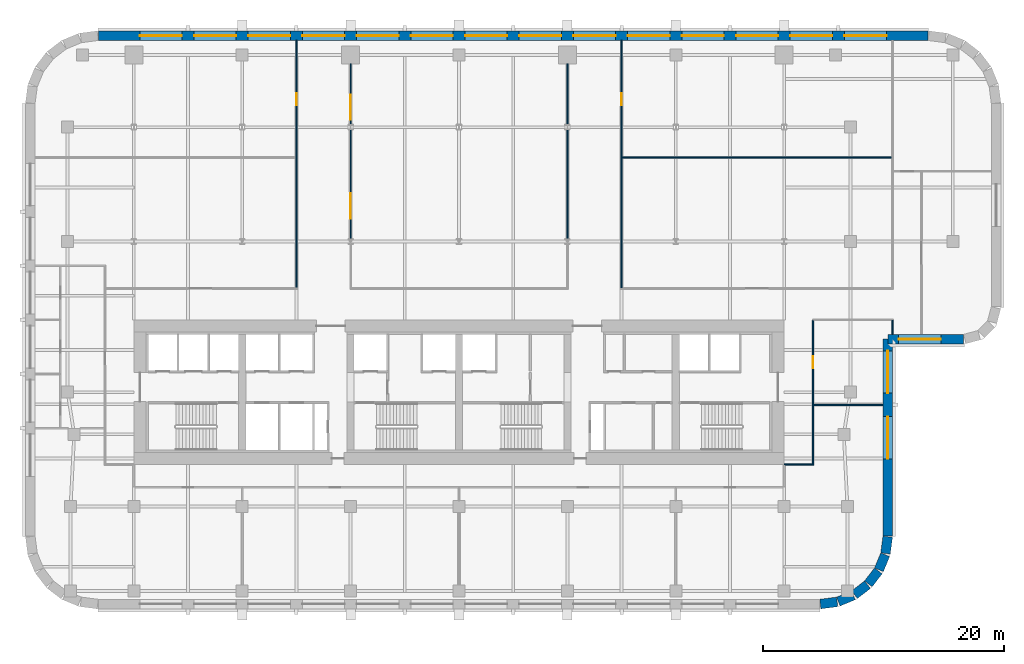
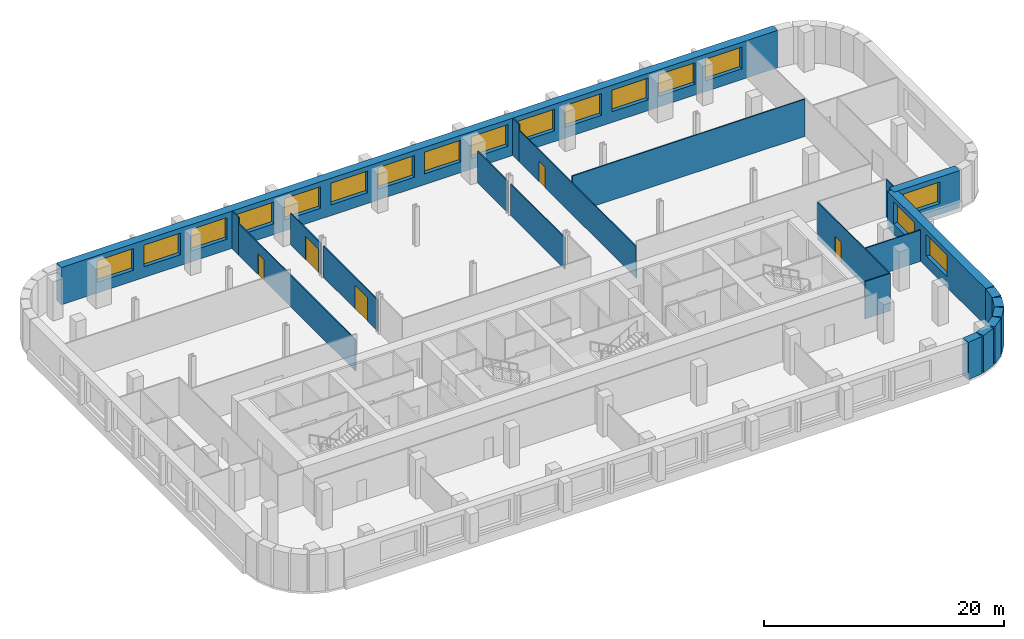
# One storey, part 6 of 9: 22 walls, 17 windows, 5 doors, 22 openings.
"""IFC4 building model written with IfcOpenShell, lengths in metres."""

from ifc_helpers import new_model, si_unit, direction, frame, frame_2d, origin, place, context, subcontext, project, spatial, rectangle, extrude, material, layer, layer_set, type_object, element, fill, save


model = new_model("IFC4")

# Units and contexts
model_context = context("Model", 3, precision=1e-05, world=origin(), true_north=direction((0.0, 1.0)))
body_context = subcontext(model_context, "Body", "Model", "MODEL_VIEW")
ifc_project = project(units=[si_unit("LENGTHUNIT", "METRE"), si_unit("AREAUNIT", "SQUARE_METRE"), si_unit("VOLUMEUNIT", "CUBIC_METRE"), si_unit("PLANEANGLEUNIT", "RADIAN"), si_unit("MASSUNIT", "GRAM", prefix="KILO")], contexts=[model_context])

# Site, building, storey
site_placement = place(None, origin())
site = spatial("IfcSite", under=ifc_project, at=site_placement, CompositionType="ELEMENT")
building_placement = place(site_placement, origin())
building = spatial("IfcBuilding", under=site, at=building_placement, Name="Zellij Exchange Tower", CompositionType="ELEMENT")
storey_placement = place(building_placement, frame((0.0, 0.0, 116.5)))
storey = spatial("IfcBuildingStorey", under=building, at=storey_placement, Name="L25", CompositionType="ELEMENT", Elevation=116.5)

# Walls
ifc_material_1 = material(Name="Precast concrete C40/50", Category="concrete")
ifc_layer_1 = layer(ifc_material_1, 0.800048828125)
ifc_layer_set_1 = layer_set([ifc_layer_1], Name="Precast concrete C40/50")
wall_type_1 = type_object("IfcWallType", Name="ENV-EW1 Precast stone-piered wall 800", PredefinedType="SOLIDWALL", material=ifc_layer_set_1)
wall_1_placement = place(storey_placement, frame((29.999755859375, -25.5966796875, 0.0), z_axis=(0.0, 0.0, 1.0), x_axis=(0.99144603414, 0.130517283865, 0.0)))
element("IfcWall", 1, at=wall_1_placement, inside=storey, type_object=wall_type_1, Name="fac.L25.01", PredefinedType="SOLIDWALL", context=body_context, shape_type="SweptSolid", body=[
    extrude(rectangle(XDim=1.408447265625, YDim=0.800048828125, at=frame_2d((0.7041015625, 0.0))), origin(), (0.0, 0.0, 1.0), 3.800048828125),
])
wall_2_placement = place(storey_placement, frame((31.497314453125, -25.3857421875, 0.0), z_axis=(0.0, 0.0, 1.0), x_axis=(0.923847774587, 0.38276009378, 0.0)))
element("IfcWall", 2, at=wall_2_placement, inside=storey, type_object=wall_type_1, Name="fac.L25.02", PredefinedType="SOLIDWALL", context=body_context, shape_type="SweptSolid", body=[
    extrude(rectangle(XDim=1.35546875, YDim=0.800048828125, at=frame_2d((0.677734375, 0.0))), origin(), (0.0, 0.0, 1.0), 3.800048828125),
])
for number, where, z_axis, x_axis, name in (
    (3, (32.840087890625, -24.814697265625, 0.0), (0.0, 0.0, 1.0), (0.793272915452, 0.608866226366, 0.0), "fac.L25.03"),
    (4, (33.9892578125, -23.91552734375, 0.0), (0.0, 0.0, 1.0), (0.608866226366, 0.793272915452, 0.0), "fac.L25.04"),
):
    element("IfcWall", number, at=place(storey_placement, frame(where, z_axis=z_axis, x_axis=x_axis)), inside=storey, type_object=wall_type_1, Name=name, PredefinedType="SOLIDWALL", context=body_context, shape_type="SweptSolid", body=[
        extrude(rectangle(XDim=1.355712890625, YDim=0.800048828125, at=frame_2d((0.677734375, 0.0))), origin(), (0.0, 0.0, 1.0), 3.800048828125),
    ])
wall_3_placement = place(storey_placement, frame((34.866943359375, -22.74951171875, 0.0), z_axis=(0.0, 0.0, 1.0), x_axis=(0.38276009378, 0.923847774587, 0.0)))
element("IfcWall", 5, at=wall_3_placement, inside=storey, type_object=wall_type_1, Name="fac.L25.05", PredefinedType="SOLIDWALL", context=body_context, shape_type="SweptSolid", body=[
    extrude(rectangle(XDim=1.35546875, YDim=0.800048828125, at=frame_2d((0.677734375, 0.0))), origin(), (0.0, 0.0, 1.0), 3.800048828125),
])
wall_4_placement = place(storey_placement, frame((35.412841796875, -21.396240234375, 0.0), z_axis=(0.0, 0.0, 1.0), x_axis=(0.130517283865, 0.99144603414, 0.0)))
element("IfcWall", 6, at=wall_4_placement, inside=storey, type_object=wall_type_1, Name="fac.L25.06", PredefinedType="SOLIDWALL", context=body_context, shape_type="SweptSolid", body=[
    extrude(rectangle(XDim=1.408447265625, YDim=0.800048828125, at=frame_2d((0.7041015625, 0.0))), origin(), (0.0, 0.0, 1.0), 3.800048828125),
])

# Wall, openings, windows
wall_5_placement = place(storey_placement, frame((35.60009765625, -19.947509765625, 0.0), z_axis=(0.0, 0.0, 1.0), x_axis=(0.0, 1.0, 0.0)))
wall_5 = element("IfcWall", 7, at=wall_5_placement, inside=storey, type_object=wall_type_1, Name="fac.L25.07", PredefinedType="SOLIDWALL", context=body_context, shape_type="SweptSolid", body=[
    extrude(rectangle(XDim=16.347412109375, YDim=0.800048828125, at=frame_2d((8.173828125, 0.0))), origin(), (0.0, 0.0, 1.0), 3.800048828125),
])
opening_1_placement = place(wall_5_placement, frame((6.41064453125, 0.0, 1.10009765625)))
opening_1 = element("IfcOpeningElement", 8, at=opening_1_placement, cuts=wall_5, Name="Opening FZ2.13", PredefinedType="OPENING", context=body_context, shape_type="SweptSolid", body=[
    extrude(rectangle(XDim=3.5, YDim=2.199951171875, at=frame_2d((1.75, 1.10009765625))), frame((0.0, 0.412109375, 0.0), z_axis=(0.0, -1.0, 0.0), x_axis=(1.0, 0.0, 0.0)), (0.0, 0.0, 1.0), 0.823974609375),
])
opening_2_placement = place(wall_5_placement, frame((11.86865234375, 0.0, 1.10009765625)))
opening_2 = element("IfcOpeningElement", 9, at=opening_2_placement, cuts=wall_5, Name="Opening FZ2.14", PredefinedType="OPENING", context=body_context, shape_type="SweptSolid", body=[
    extrude(rectangle(XDim=3.5, YDim=2.199951171875, at=frame_2d((1.75, 1.10009765625))), frame((0.0, 0.412109375, 0.0), z_axis=(0.0, -1.0, 0.0), x_axis=(1.0, 0.0, 0.0)), (0.0, 0.0, 1.0), 0.823974609375),
])
ifc_material_2 = material(Name="Aluminium frame with insulating glass", Category="aluminium")
window_type = type_object("IfcWindowType", Name="ENV-W7 Window 3500x2200", PartitioningType="SINGLE_PANEL", PredefinedType="WINDOW", material=ifc_material_2)
window_1_placement = place(opening_1_placement, origin())
window_1 = element("IfcWindow", 10, at=window_1_placement, inside=storey, type_object=window_type, Name="Window FZ2.13", OverallHeight=2.199951171875, OverallWidth=3.5, PartitioningType="SINGLE_PANEL", PredefinedType="WINDOW", context=body_context, shape_type="SweptSolid", body=[
    extrude(rectangle(XDim=3.5, YDim=2.199951171875, at=frame_2d((1.75, 1.10009765625))), frame((0.0, 0.030029296875, 0.0), z_axis=(0.0, -1.0, 0.0), x_axis=(1.0, 0.0, 0.0)), (0.0, 0.0, 1.0), 0.06005859375),
])
fill(opening_1, window_1)
window_2_placement = place(opening_2_placement, origin())
window_2 = element("IfcWindow", 11, at=window_2_placement, inside=storey, type_object=window_type, Name="Window FZ2.14", OverallHeight=2.199951171875, OverallWidth=3.5, PartitioningType="SINGLE_PANEL", PredefinedType="WINDOW", context=body_context, shape_type="SweptSolid", body=[
    extrude(rectangle(XDim=3.5, YDim=2.199951171875, at=frame_2d((1.75, 1.10009765625))), frame((0.0, 0.030029296875, 0.0), z_axis=(0.0, -1.0, 0.0), x_axis=(1.0, 0.0, 0.0)), (0.0, 0.0, 1.0), 0.06005859375),
])
fill(opening_2, window_2)

# Wall, opening, window
wall_6_placement = place(storey_placement, frame((35.60009765625, -3.60009765625, 0.0), z_axis=(0.0, 0.0, 1.0), x_axis=(1.0, 0.0, 0.0)))
wall_6 = element("IfcWall", 12, at=wall_6_placement, inside=storey, type_object=wall_type_1, Name="fac.L25.08", PredefinedType="SOLIDWALL", context=body_context, shape_type="SweptSolid", body=[
    extrude(rectangle(XDim=6.29443359375, YDim=0.800048828125, at=frame_2d((3.147216796875, 0.0))), origin(), (0.0, 0.0, 1.0), 3.800048828125),
])
opening_3_placement = place(wall_6_placement, frame((0.89990234375, 0.0, 1.10009765625)))
opening_3 = element("IfcOpeningElement", 13, at=opening_3_placement, cuts=wall_6, Name="Opening FZ2.15", PredefinedType="OPENING", context=body_context, shape_type="SweptSolid", body=[
    extrude(rectangle(XDim=3.5, YDim=2.199951171875, at=frame_2d((1.75, 1.10009765625))), frame((0.0, 0.412109375, 0.0), z_axis=(0.0, -1.0, 0.0), x_axis=(1.0, 0.0, 0.0)), (0.0, 0.0, 1.0), 0.823974609375),
])
window_3_placement = place(opening_3_placement, origin())
window_3 = element("IfcWindow", 14, at=window_3_placement, inside=storey, type_object=window_type, Name="Window FZ2.15", OverallHeight=2.199951171875, OverallWidth=3.5, PartitioningType="SINGLE_PANEL", PredefinedType="WINDOW", context=body_context, shape_type="SweptSolid", body=[
    extrude(rectangle(XDim=3.5, YDim=2.199951171875, at=frame_2d((1.75, 1.10009765625))), frame((0.0, 0.030029296875, 0.0), z_axis=(0.0, -1.0, 0.0), x_axis=(1.0, 0.0, 0.0)), (0.0, 0.0, 1.0), 0.06005859375),
])
fill(opening_3, window_3)

# Wall, openings, windows
wall_7_placement = place(storey_placement, frame((38.947509765625, 21.60009765625, 0.0), z_axis=(0.0, 0.0, 1.0), x_axis=(-1.0, 0.0, 0.0)))
wall_7 = element("IfcWall", 15, at=wall_7_placement, inside=storey, type_object=wall_type_1, Name="fac.L25.19", PredefinedType="SOLIDWALL", context=body_context, shape_type="SweptSolid", body=[
    extrude(rectangle(XDim=68.89501953125, YDim=0.800048828125, at=frame_2d((34.447509765625, 0.0))), origin(), (0.0, 0.0, 1.0), 3.800048828125),
])
opening_4_placement = place(wall_7_placement, frame((3.447509765625, 0.0, 1.10009765625)))
opening_4 = element("IfcOpeningElement", 16, at=opening_4_placement, cuts=wall_7, Name="Opening FZ2.17", PredefinedType="OPENING", context=body_context, shape_type="SweptSolid", body=[
    extrude(rectangle(XDim=3.5, YDim=2.199951171875, at=frame_2d((1.75, 1.10009765625))), frame((0.0, 0.412109375, 0.0), z_axis=(0.0, -1.0, 0.0), x_axis=(1.0, 0.0, 0.0)), (0.0, 0.0, 1.0), 0.823974609375),
])
opening_5_placement = place(wall_7_placement, frame((7.947509765625, 0.0, 1.10009765625)))
opening_5 = element("IfcOpeningElement", 17, at=opening_5_placement, cuts=wall_7, Name="Opening FZ2.18", PredefinedType="OPENING", context=body_context, shape_type="SweptSolid", body=[
    extrude(rectangle(XDim=3.5, YDim=2.199951171875, at=frame_2d((1.75, 1.10009765625))), frame((0.0, 0.412109375, 0.0), z_axis=(0.0, -1.0, 0.0), x_axis=(1.0, 0.0, 0.0)), (0.0, 0.0, 1.0), 0.823974609375),
])
opening_6_placement = place(wall_7_placement, frame((12.447509765625, 0.0, 1.10009765625)))
opening_6 = element("IfcOpeningElement", 18, at=opening_6_placement, cuts=wall_7, Name="Opening FZ2.19", PredefinedType="OPENING", context=body_context, shape_type="SweptSolid", body=[
    extrude(rectangle(XDim=3.5, YDim=2.199951171875, at=frame_2d((1.75, 1.10009765625))), frame((0.0, 0.412109375, 0.0), z_axis=(0.0, -1.0, 0.0), x_axis=(1.0, 0.0, 0.0)), (0.0, 0.0, 1.0), 0.823974609375),
])
opening_7_placement = place(wall_7_placement, frame((16.947509765625, 0.0, 1.10009765625)))
opening_7 = element("IfcOpeningElement", 19, at=opening_7_placement, cuts=wall_7, Name="Opening FZ2.20", PredefinedType="OPENING", context=body_context, shape_type="SweptSolid", body=[
    extrude(rectangle(XDim=3.5, YDim=2.199951171875, at=frame_2d((1.75, 1.10009765625))), frame((0.0, 0.412109375, 0.0), z_axis=(0.0, -1.0, 0.0), x_axis=(1.0, 0.0, 0.0)), (0.0, 0.0, 1.0), 0.823974609375),
])
opening_8_placement = place(wall_7_placement, frame((21.447509765625, 0.0, 1.10009765625)))
opening_8 = element("IfcOpeningElement", 20, at=opening_8_placement, cuts=wall_7, Name="Opening FZ2.21", PredefinedType="OPENING", context=body_context, shape_type="SweptSolid", body=[
    extrude(rectangle(XDim=3.5, YDim=2.199951171875, at=frame_2d((1.75, 1.10009765625))), frame((0.0, 0.412109375, 0.0), z_axis=(0.0, -1.0, 0.0), x_axis=(1.0, 0.0, 0.0)), (0.0, 0.0, 1.0), 0.823974609375),
])
opening_9_placement = place(wall_7_placement, frame((25.947509765625, 0.0, 1.10009765625)))
opening_9 = element("IfcOpeningElement", 21, at=opening_9_placement, cuts=wall_7, Name="Opening FZ2.22", PredefinedType="OPENING", context=body_context, shape_type="SweptSolid", body=[
    extrude(rectangle(XDim=3.5, YDim=2.199951171875, at=frame_2d((1.75, 1.10009765625))), frame((0.0, 0.412109375, 0.0), z_axis=(0.0, -1.0, 0.0), x_axis=(1.0, 0.0, 0.0)), (0.0, 0.0, 1.0), 0.823974609375),
])
opening_10_placement = place(wall_7_placement, frame((30.447509765625, 0.0, 1.10009765625)))
opening_10 = element("IfcOpeningElement", 22, at=opening_10_placement, cuts=wall_7, Name="Opening FZ2.23", PredefinedType="OPENING", context=body_context, shape_type="SweptSolid", body=[
    extrude(rectangle(XDim=3.5, YDim=2.199951171875, at=frame_2d((1.75, 1.10009765625))), frame((0.0, 0.412109375, 0.0), z_axis=(0.0, -1.0, 0.0), x_axis=(1.0, 0.0, 0.0)), (0.0, 0.0, 1.0), 0.823974609375),
])
opening_11_placement = place(wall_7_placement, frame((34.947509765625, 0.0, 1.10009765625)))
opening_11 = element("IfcOpeningElement", 23, at=opening_11_placement, cuts=wall_7, Name="Opening FZ2.24", PredefinedType="OPENING", context=body_context, shape_type="SweptSolid", body=[
    extrude(rectangle(XDim=3.5, YDim=2.199951171875, at=frame_2d((1.75, 1.10009765625))), frame((0.0, 0.412109375, 0.0), z_axis=(0.0, -1.0, 0.0), x_axis=(1.0, 0.0, 0.0)), (0.0, 0.0, 1.0), 0.823974609375),
])
opening_12_placement = place(wall_7_placement, frame((39.447509765625, 0.0, 1.10009765625)))
opening_12 = element("IfcOpeningElement", 24, at=opening_12_placement, cuts=wall_7, Name="Opening FZ2.25", PredefinedType="OPENING", context=body_context, shape_type="SweptSolid", body=[
    extrude(rectangle(XDim=3.5, YDim=2.199951171875, at=frame_2d((1.75, 1.10009765625))), frame((0.0, 0.412109375, 0.0), z_axis=(0.0, -1.0, 0.0), x_axis=(1.0, 0.0, 0.0)), (0.0, 0.0, 1.0), 0.823974609375),
])
opening_13_placement = place(wall_7_placement, frame((43.947509765625, 0.0, 1.10009765625)))
opening_13 = element("IfcOpeningElement", 25, at=opening_13_placement, cuts=wall_7, Name="Opening FZ2.26", PredefinedType="OPENING", context=body_context, shape_type="SweptSolid", body=[
    extrude(rectangle(XDim=3.5, YDim=2.199951171875, at=frame_2d((1.75, 1.10009765625))), frame((0.0, 0.412109375, 0.0), z_axis=(0.0, -1.0, 0.0), x_axis=(1.0, 0.0, 0.0)), (0.0, 0.0, 1.0), 0.823974609375),
])
opening_14_placement = place(wall_7_placement, frame((48.447509765625, 0.0, 1.10009765625)))
opening_14 = element("IfcOpeningElement", 26, at=opening_14_placement, cuts=wall_7, Name="Opening FZ2.27", PredefinedType="OPENING", context=body_context, shape_type="SweptSolid", body=[
    extrude(rectangle(XDim=3.5, YDim=2.199951171875, at=frame_2d((1.75, 1.10009765625))), frame((0.0, 0.412109375, 0.0), z_axis=(0.0, -1.0, 0.0), x_axis=(1.0, 0.0, 0.0)), (0.0, 0.0, 1.0), 0.823974609375),
])
opening_15_placement = place(wall_7_placement, frame((52.947509765625, 0.0, 1.10009765625)))
opening_15 = element("IfcOpeningElement", 27, at=opening_15_placement, cuts=wall_7, Name="Opening FZ2.28", PredefinedType="OPENING", context=body_context, shape_type="SweptSolid", body=[
    extrude(rectangle(XDim=3.5, YDim=2.199951171875, at=frame_2d((1.75, 1.10009765625))), frame((0.0, 0.412109375, 0.0), z_axis=(0.0, -1.0, 0.0), x_axis=(1.0, 0.0, 0.0)), (0.0, 0.0, 1.0), 0.823974609375),
])
opening_16_placement = place(wall_7_placement, frame((57.447509765625, 0.0, 1.10009765625)))
opening_16 = element("IfcOpeningElement", 28, at=opening_16_placement, cuts=wall_7, Name="Opening FZ2.29", PredefinedType="OPENING", context=body_context, shape_type="SweptSolid", body=[
    extrude(rectangle(XDim=3.5, YDim=2.199951171875, at=frame_2d((1.75, 1.10009765625))), frame((0.0, 0.412109375, 0.0), z_axis=(0.0, -1.0, 0.0), x_axis=(1.0, 0.0, 0.0)), (0.0, 0.0, 1.0), 0.823974609375),
])
opening_17_placement = place(wall_7_placement, frame((61.947509765625, 0.0, 1.10009765625)))
opening_17 = element("IfcOpeningElement", 29, at=opening_17_placement, cuts=wall_7, Name="Opening FZ2.30", PredefinedType="OPENING", context=body_context, shape_type="SweptSolid", body=[
    extrude(rectangle(XDim=3.5, YDim=2.199951171875, at=frame_2d((1.75, 1.10009765625))), frame((0.0, 0.412109375, 0.0), z_axis=(0.0, -1.0, 0.0), x_axis=(1.0, 0.0, 0.0)), (0.0, 0.0, 1.0), 0.823974609375),
])
window_4_placement = place(opening_4_placement, origin())
window_4 = element("IfcWindow", 30, at=window_4_placement, inside=storey, type_object=window_type, Name="Window FZ2.17", OverallHeight=2.199951171875, OverallWidth=3.5, PartitioningType="SINGLE_PANEL", PredefinedType="WINDOW", context=body_context, shape_type="SweptSolid", body=[
    extrude(rectangle(XDim=3.5, YDim=2.199951171875, at=frame_2d((1.75, 1.10009765625))), frame((0.0, 0.030029296875, 0.0), z_axis=(0.0, -1.0, 0.0), x_axis=(1.0, 0.0, 0.0)), (0.0, 0.0, 1.0), 0.06005859375),
])
fill(opening_4, window_4)
window_5_placement = place(opening_5_placement, origin())
window_5 = element("IfcWindow", 31, at=window_5_placement, inside=storey, type_object=window_type, Name="Window FZ2.18", OverallHeight=2.199951171875, OverallWidth=3.5, PartitioningType="SINGLE_PANEL", PredefinedType="WINDOW", context=body_context, shape_type="SweptSolid", body=[
    extrude(rectangle(XDim=3.5, YDim=2.199951171875, at=frame_2d((1.75, 1.10009765625))), frame((0.0, 0.030029296875, 0.0), z_axis=(0.0, -1.0, 0.0), x_axis=(1.0, 0.0, 0.0)), (0.0, 0.0, 1.0), 0.06005859375),
])
fill(opening_5, window_5)
window_6_placement = place(opening_6_placement, origin())
window_6 = element("IfcWindow", 32, at=window_6_placement, inside=storey, type_object=window_type, Name="Window FZ2.19", OverallHeight=2.199951171875, OverallWidth=3.5, PartitioningType="SINGLE_PANEL", PredefinedType="WINDOW", context=body_context, shape_type="SweptSolid", body=[
    extrude(rectangle(XDim=3.5, YDim=2.199951171875, at=frame_2d((1.75, 1.10009765625))), frame((0.0, 0.030029296875, 0.0), z_axis=(0.0, -1.0, 0.0), x_axis=(1.0, 0.0, 0.0)), (0.0, 0.0, 1.0), 0.06005859375),
])
fill(opening_6, window_6)
window_7_placement = place(opening_7_placement, origin())
window_7 = element("IfcWindow", 33, at=window_7_placement, inside=storey, type_object=window_type, Name="Window FZ2.20", OverallHeight=2.199951171875, OverallWidth=3.5, PartitioningType="SINGLE_PANEL", PredefinedType="WINDOW", context=body_context, shape_type="SweptSolid", body=[
    extrude(rectangle(XDim=3.5, YDim=2.199951171875, at=frame_2d((1.75, 1.10009765625))), frame((0.0, 0.030029296875, 0.0), z_axis=(0.0, -1.0, 0.0), x_axis=(1.0, 0.0, 0.0)), (0.0, 0.0, 1.0), 0.06005859375),
])
fill(opening_7, window_7)
window_8_placement = place(opening_8_placement, origin())
window_8 = element("IfcWindow", 34, at=window_8_placement, inside=storey, type_object=window_type, Name="Window FZ2.21", OverallHeight=2.199951171875, OverallWidth=3.5, PartitioningType="SINGLE_PANEL", PredefinedType="WINDOW", context=body_context, shape_type="SweptSolid", body=[
    extrude(rectangle(XDim=3.5, YDim=2.199951171875, at=frame_2d((1.75, 1.10009765625))), frame((0.0, 0.030029296875, 0.0), z_axis=(0.0, -1.0, 0.0), x_axis=(1.0, 0.0, 0.0)), (0.0, 0.0, 1.0), 0.06005859375),
])
fill(opening_8, window_8)
window_9_placement = place(opening_9_placement, origin())
window_9 = element("IfcWindow", 35, at=window_9_placement, inside=storey, type_object=window_type, Name="Window FZ2.22", OverallHeight=2.199951171875, OverallWidth=3.5, PartitioningType="SINGLE_PANEL", PredefinedType="WINDOW", context=body_context, shape_type="SweptSolid", body=[
    extrude(rectangle(XDim=3.5, YDim=2.199951171875, at=frame_2d((1.75, 1.10009765625))), frame((0.0, 0.030029296875, 0.0), z_axis=(0.0, -1.0, 0.0), x_axis=(1.0, 0.0, 0.0)), (0.0, 0.0, 1.0), 0.06005859375),
])
fill(opening_9, window_9)
window_10_placement = place(opening_10_placement, origin())
window_10 = element("IfcWindow", 36, at=window_10_placement, inside=storey, type_object=window_type, Name="Window FZ2.23", OverallHeight=2.199951171875, OverallWidth=3.5, PartitioningType="SINGLE_PANEL", PredefinedType="WINDOW", context=body_context, shape_type="SweptSolid", body=[
    extrude(rectangle(XDim=3.5, YDim=2.199951171875, at=frame_2d((1.75, 1.10009765625))), frame((0.0, 0.030029296875, 0.0), z_axis=(0.0, -1.0, 0.0), x_axis=(1.0, 0.0, 0.0)), (0.0, 0.0, 1.0), 0.06005859375),
])
fill(opening_10, window_10)
window_11_placement = place(opening_11_placement, origin())
window_11 = element("IfcWindow", 37, at=window_11_placement, inside=storey, type_object=window_type, Name="Window FZ2.24", OverallHeight=2.199951171875, OverallWidth=3.5, PartitioningType="SINGLE_PANEL", PredefinedType="WINDOW", context=body_context, shape_type="SweptSolid", body=[
    extrude(rectangle(XDim=3.5, YDim=2.199951171875, at=frame_2d((1.75, 1.10009765625))), frame((0.0, 0.030029296875, 0.0), z_axis=(0.0, -1.0, 0.0), x_axis=(1.0, 0.0, 0.0)), (0.0, 0.0, 1.0), 0.06005859375),
])
fill(opening_11, window_11)
window_12_placement = place(opening_12_placement, origin())
window_12 = element("IfcWindow", 38, at=window_12_placement, inside=storey, type_object=window_type, Name="Window FZ2.25", OverallHeight=2.199951171875, OverallWidth=3.5, PartitioningType="SINGLE_PANEL", PredefinedType="WINDOW", context=body_context, shape_type="SweptSolid", body=[
    extrude(rectangle(XDim=3.5, YDim=2.199951171875, at=frame_2d((1.75, 1.10009765625))), frame((0.0, 0.030029296875, 0.0), z_axis=(0.0, -1.0, 0.0), x_axis=(1.0, 0.0, 0.0)), (0.0, 0.0, 1.0), 0.06005859375),
])
fill(opening_12, window_12)
window_13_placement = place(opening_13_placement, origin())
window_13 = element("IfcWindow", 39, at=window_13_placement, inside=storey, type_object=window_type, Name="Window FZ2.26", OverallHeight=2.199951171875, OverallWidth=3.5, PartitioningType="SINGLE_PANEL", PredefinedType="WINDOW", context=body_context, shape_type="SweptSolid", body=[
    extrude(rectangle(XDim=3.5, YDim=2.199951171875, at=frame_2d((1.75, 1.10009765625))), frame((0.0, 0.030029296875, 0.0), z_axis=(0.0, -1.0, 0.0), x_axis=(1.0, 0.0, 0.0)), (0.0, 0.0, 1.0), 0.06005859375),
])
fill(opening_13, window_13)
window_14_placement = place(opening_14_placement, origin())
window_14 = element("IfcWindow", 40, at=window_14_placement, inside=storey, type_object=window_type, Name="Window FZ2.27", OverallHeight=2.199951171875, OverallWidth=3.5, PartitioningType="SINGLE_PANEL", PredefinedType="WINDOW", context=body_context, shape_type="SweptSolid", body=[
    extrude(rectangle(XDim=3.5, YDim=2.199951171875, at=frame_2d((1.75, 1.10009765625))), frame((0.0, 0.030029296875, 0.0), z_axis=(0.0, -1.0, 0.0), x_axis=(1.0, 0.0, 0.0)), (0.0, 0.0, 1.0), 0.06005859375),
])
fill(opening_14, window_14)
window_15_placement = place(opening_15_placement, origin())
window_15 = element("IfcWindow", 41, at=window_15_placement, inside=storey, type_object=window_type, Name="Window FZ2.28", OverallHeight=2.199951171875, OverallWidth=3.5, PartitioningType="SINGLE_PANEL", PredefinedType="WINDOW", context=body_context, shape_type="SweptSolid", body=[
    extrude(rectangle(XDim=3.5, YDim=2.199951171875, at=frame_2d((1.75, 1.10009765625))), frame((0.0, 0.030029296875, 0.0), z_axis=(0.0, -1.0, 0.0), x_axis=(1.0, 0.0, 0.0)), (0.0, 0.0, 1.0), 0.06005859375),
])
fill(opening_15, window_15)
window_16_placement = place(opening_16_placement, origin())
window_16 = element("IfcWindow", 42, at=window_16_placement, inside=storey, type_object=window_type, Name="Window FZ2.29", OverallHeight=2.199951171875, OverallWidth=3.5, PartitioningType="SINGLE_PANEL", PredefinedType="WINDOW", context=body_context, shape_type="SweptSolid", body=[
    extrude(rectangle(XDim=3.5, YDim=2.199951171875, at=frame_2d((1.75, 1.10009765625))), frame((0.0, 0.030029296875, 0.0), z_axis=(0.0, -1.0, 0.0), x_axis=(1.0, 0.0, 0.0)), (0.0, 0.0, 1.0), 0.06005859375),
])
fill(opening_16, window_16)
window_17_placement = place(opening_17_placement, origin())
window_17 = element("IfcWindow", 43, at=window_17_placement, inside=storey, type_object=window_type, Name="Window FZ2.30", OverallHeight=2.199951171875, OverallWidth=3.5, PartitioningType="SINGLE_PANEL", PredefinedType="WINDOW", context=body_context, shape_type="SweptSolid", body=[
    extrude(rectangle(XDim=3.5, YDim=2.199951171875, at=frame_2d((1.75, 1.10009765625))), frame((0.0, 0.030029296875, 0.0), z_axis=(0.0, -1.0, 0.0), x_axis=(1.0, 0.0, 0.0)), (0.0, 0.0, 1.0), 0.06005859375),
])
fill(opening_17, window_17)

# Wall
ifc_material_3 = material(Name="Gypsum board partition on steel studs", Category="steel")
ifc_layer_2 = layer(ifc_material_3, 0.10009765625)
ifc_layer_set_2 = layer_set([ifc_layer_2], Name="Gypsum board partition on steel studs")
wall_type_2 = type_object("IfcWallType", Name="FIT-PARTITION-100", PredefinedType="PARTITIONING", material=ifc_layer_set_2)
wall_8_placement = place(storey_placement, frame((27.0, -14.0, 0.0), z_axis=(0.0, 0.0, 1.0), x_axis=(1.0, 0.0, 0.0)))
element("IfcWall", 44, at=wall_8_placement, inside=storey, type_object=wall_type_2, Name="FIT-PARTITION-100 012", PredefinedType="PARTITIONING", context=body_context, shape_type="SweptSolid", body=[
    extrude(rectangle(XDim=2.449951171875, YDim=0.10009765625, at=frame_2d((1.22509765625, 0.0))), origin(), (0.0, 0.0, 1.0), 3.800048828125),
])

# Wall, opening, door
wall_9_placement = place(storey_placement, frame((29.39990234375, -13.949951171875, 0.0), z_axis=(0.0, 0.0, 1.0), x_axis=(0.0, 1.0, 0.0)))
wall_9 = element("IfcWall", 45, at=wall_9_placement, inside=storey, type_object=wall_type_2, Name="FIT-PARTITION-100 013", PredefinedType="PARTITIONING", context=body_context, shape_type="SweptSolid", body=[
    extrude(rectangle(XDim=11.89990234375, YDim=0.10009765625, at=frame_2d((5.949951171875, 0.0))), origin(), (0.0, 0.0, 1.0), 3.800048828125),
])
opening_18_placement = place(wall_9_placement, frame((7.93994140625, 0.0, 0.0)))
opening_18 = element("IfcOpeningElement", 46, at=opening_18_placement, cuts=wall_9, Name="Opening TE.06", PredefinedType="OPENING", context=body_context, shape_type="SweptSolid", body=[
    extrude(rectangle(XDim=1.0, YDim=2.10009765625, at=frame_2d((0.5, 1.050048828125))), frame((0.0, 0.06201171875, 0.0), z_axis=(0.0, -1.0, 0.0), x_axis=(1.0, 0.0, 0.0)), (0.0, 0.0, 1.0), 0.1240234375),
])
ifc_material_4 = material(Name="Timber door set", Category="wood")
door_type_1 = type_object("IfcDoorType", Name="FIT-D2-WIDE-1000X2100", OperationType="SINGLE_SWING_LEFT", PredefinedType="DOOR", material=ifc_material_4)
door_1_placement = place(opening_18_placement, origin())
door_1 = element("IfcDoor", 47, at=door_1_placement, inside=storey, type_object=door_type_1, Name="Door TE.06", OperationType="SINGLE_SWING_RIGHT", OverallHeight=2.10009765625, OverallWidth=1.0, PredefinedType="DOOR", context=body_context, shape_type="SweptSolid", body=[
    extrude(rectangle(XDim=1.0, YDim=2.10009765625, at=frame_2d((0.5, 1.050048828125))), frame((0.0, 0.02490234375, 0.0), z_axis=(0.0, -1.0, 0.0), x_axis=(1.0, 0.0, 0.0)), (0.0, 0.0, 1.0), 0.050048828125),
])
fill(opening_18, door_1)

# Walls
wall_10_placement = place(storey_placement, frame((29.449951171875, -9.06005859375, 0.0), z_axis=(0.0, 0.0, 1.0), x_axis=(1.0, 0.0, 0.0)))
element("IfcWall", 48, at=wall_10_placement, inside=storey, type_object=wall_type_2, Name="FIT-PARTITION-100 017", PredefinedType="PARTITIONING", context=body_context, shape_type="SweptSolid", body=[
    extrude(rectangle(XDim=5.75, YDim=0.10009765625, at=frame_2d((2.875, 0.0))), origin(), (0.0, 0.0, 1.0), 3.197998046875),
])
wall_11_placement = place(storey_placement, frame((36.0, -3.199951171875, 0.0), z_axis=(0.0, 0.0, 1.0), x_axis=(0.0, 1.0, 0.0)))
element("IfcWall", 49, at=wall_11_placement, inside=storey, type_object=wall_type_2, Name="FIT-PARTITION-100 019", PredefinedType="PARTITIONING", context=body_context, shape_type="SweptSolid", body=[
    extrude(rectangle(XDim=1.14990234375, YDim=0.10009765625, at=frame_2d((0.574951171875, 0.0))), origin(), (0.0, 0.0, 1.0), 3.800048828125),
])

# Wall, opening, door
wall_12_placement = place(storey_placement, frame((-13.5, 0.64990234375, 0.0), z_axis=(0.0, 0.0, 1.0), x_axis=(0.0, 1.0, 0.0)))
wall_12 = element("IfcWall", 50, at=wall_12_placement, inside=storey, type_object=wall_type_2, Name="FIT-PARTITION-100 024", PredefinedType="PARTITIONING", context=body_context, shape_type="SweptSolid", body=[
    extrude(rectangle(XDim=19.464599609375, YDim=0.10009765625, at=frame_2d((9.732421875, 0.0))), origin(), (0.0, 0.0, 1.0), 3.197998046875),
])
opening_19_placement = place(wall_12_placement, frame((15.179931640625, 0.0, 0.0)))
opening_19 = element("IfcOpeningElement", 51, at=opening_19_placement, cuts=wall_12, Name="Opening TE.16", PredefinedType="OPENING", context=body_context, shape_type="SweptSolid", body=[
    extrude(rectangle(XDim=1.0, YDim=2.10009765625, at=frame_2d((0.5, 1.050048828125))), frame((0.0, 0.06201171875, 0.0), z_axis=(0.0, -1.0, 0.0), x_axis=(1.0, 0.0, 0.0)), (0.0, 0.0, 1.0), 0.1240234375),
])
door_2_placement = place(opening_19_placement, origin())
door_2 = element("IfcDoor", 52, at=door_2_placement, inside=storey, type_object=door_type_1, Name="Door TE.16", OperationType="SINGLE_SWING_RIGHT", OverallHeight=2.10009765625, OverallWidth=1.0, PredefinedType="DOOR", context=body_context, shape_type="SweptSolid", body=[
    extrude(rectangle(XDim=1.0, YDim=2.10009765625, at=frame_2d((0.5, 1.050048828125))), frame((0.0, 0.02490234375, 0.0), z_axis=(0.0, -1.0, 0.0), x_axis=(1.0, 0.0, 0.0)), (0.0, 0.0, 1.0), 0.050048828125),
])
fill(opening_19, door_2)

# Wall
wall_13_placement = place(storey_placement, frame((-13.5, 20.114501953125, 0.0), z_axis=(0.0, 0.0, 1.0), x_axis=(0.0, 1.0, 0.0)))
element("IfcWall", 53, at=wall_13_placement, inside=storey, type_object=wall_type_2, Name="FIT-PARTITION-100 025", PredefinedType="PARTITIONING", context=body_context, shape_type="SweptSolid", body=[
    extrude(rectangle(XDim=1.08544921875, YDim=0.10009765625, at=frame_2d((0.542724609375, 0.0))), origin(), (0.0, 0.0, 1.0), 3.800048828125),
])

# Wall, opening, door
wall_14_placement = place(storey_placement, frame((-9.0, 4.727294921875, 0.0), z_axis=(0.0, 0.0, 1.0), x_axis=(0.0, 1.0, 0.0)))
wall_14 = element("IfcWall", 54, at=wall_14_placement, inside=storey, type_object=wall_type_2, Name="FIT-PARTITION-100 028", PredefinedType="PARTITIONING", context=body_context, shape_type="SweptSolid", body=[
    extrude(rectangle(XDim=9.04541015625, YDim=0.10009765625, at=frame_2d((4.522705078125, 0.0))), origin(), (0.0, 0.0, 1.0), 3.18798828125),
])
opening_20_placement = place(wall_14_placement, frame((1.672607421875, 0.0, 0.0)))
opening_20 = element("IfcOpeningElement", 55, at=opening_20_placement, cuts=wall_14, Name="Opening TE.13", PredefinedType="OPENING", context=body_context, shape_type="SweptSolid", body=[
    extrude(rectangle(XDim=2.10009765625, YDim=2.39990234375, at=frame_2d((1.050048828125, 1.199951171875))), frame((0.0, 0.06201171875, 0.0), z_axis=(0.0, -1.0, 0.0), x_axis=(1.0, 0.0, 0.0)), (0.0, 0.0, 1.0), 0.1240234375),
])
door_type_2 = type_object("IfcDoorType", Name="FIT-D7-ASSEMBLY-2100X2400", OperationType="DOUBLE_DOOR_SINGLE_SWING", PredefinedType="DOOR", material=ifc_material_4)
door_3_placement = place(opening_20_placement, origin())
door_3 = element("IfcDoor", 56, at=door_3_placement, inside=storey, type_object=door_type_2, Name="Door TE.13", OperationType="DOUBLE_DOOR_SINGLE_SWING", OverallHeight=2.39990234375, OverallWidth=2.10009765625, PredefinedType="DOOR", context=body_context, shape_type="SweptSolid", body=[
    extrude(rectangle(XDim=2.10009765625, YDim=2.39990234375, at=frame_2d((1.050048828125, 1.199951171875))), frame((0.0, 0.02490234375, 0.0), z_axis=(0.0, -1.0, 0.0), x_axis=(1.0, 0.0, 0.0)), (0.0, 0.0, 1.0), 0.050048828125),
])
fill(opening_20, door_3)

wall_15_placement = place(storey_placement, frame((-9.0, 14.227294921875, 0.0), z_axis=(0.0, 0.0, 1.0), x_axis=(0.0, 1.0, 0.0)))
wall_15 = element("IfcWall", 57, at=wall_15_placement, inside=storey, type_object=wall_type_2, Name="FIT-PARTITION-100 029", PredefinedType="PARTITIONING", context=body_context, shape_type="SweptSolid", body=[
    extrude(rectangle(XDim=5.022705078125, YDim=0.10009765625, at=frame_2d((2.51123046875, 0.0))), origin(), (0.0, 0.0, 1.0), 3.18798828125),
])
opening_21_placement = place(wall_15_placement, frame((0.37255859375, 0.0, 0.0)))
opening_21 = element("IfcOpeningElement", 58, at=opening_21_placement, cuts=wall_15, Name="Opening TE.15", PredefinedType="OPENING", context=body_context, shape_type="SweptSolid", body=[
    extrude(rectangle(XDim=2.10009765625, YDim=2.39990234375, at=frame_2d((1.050048828125, 1.199951171875))), frame((0.0, 0.06201171875, 0.0), z_axis=(0.0, -1.0, 0.0), x_axis=(1.0, 0.0, 0.0)), (0.0, 0.0, 1.0), 0.1240234375),
])
door_4_placement = place(opening_21_placement, origin())
door_4 = element("IfcDoor", 59, at=door_4_placement, inside=storey, type_object=door_type_2, Name="Door TE.15", OperationType="DOUBLE_DOOR_SINGLE_SWING", OverallHeight=2.39990234375, OverallWidth=2.10009765625, PredefinedType="DOOR", context=body_context, shape_type="SweptSolid", body=[
    extrude(rectangle(XDim=2.10009765625, YDim=2.39990234375, at=frame_2d((1.050048828125, 1.199951171875))), frame((0.0, 0.02490234375, 0.0), z_axis=(0.0, -1.0, 0.0), x_axis=(1.0, 0.0, 0.0)), (0.0, 0.0, 1.0), 0.050048828125),
])
fill(opening_21, door_4)

# Walls
wall_16_placement = place(storey_placement, frame((9.0, 4.727294921875, 0.0), z_axis=(0.0, 0.0, 1.0), x_axis=(0.0, 1.0, 0.0)))
element("IfcWall", 60, at=wall_16_placement, inside=storey, type_object=wall_type_2, Name="FIT-PARTITION-100 031", PredefinedType="PARTITIONING", context=body_context, shape_type="SweptSolid", body=[
    extrude(rectangle(XDim=9.04541015625, YDim=0.10009765625, at=frame_2d((4.522705078125, 0.0))), origin(), (0.0, 0.0, 1.0), 3.18798828125),
])
wall_17_placement = place(storey_placement, frame((9.0, 14.227294921875, 0.0), z_axis=(0.0, 0.0, 1.0), x_axis=(0.0, 1.0, 0.0)))
element("IfcWall", 61, at=wall_17_placement, inside=storey, type_object=wall_type_2, Name="FIT-PARTITION-100 032", PredefinedType="PARTITIONING", context=body_context, shape_type="SweptSolid", body=[
    extrude(rectangle(XDim=5.022705078125, YDim=0.10009765625, at=frame_2d((2.51123046875, 0.0))), origin(), (0.0, 0.0, 1.0), 3.18798828125),
])

# Wall, opening, door
wall_18_placement = place(storey_placement, frame((13.5, 0.64990234375, 0.0), z_axis=(0.0, 0.0, 1.0), x_axis=(0.0, 1.0, 0.0)))
wall_18 = element("IfcWall", 62, at=wall_18_placement, inside=storey, type_object=wall_type_2, Name="FIT-PARTITION-100 034", PredefinedType="PARTITIONING", context=body_context, shape_type="SweptSolid", body=[
    extrude(rectangle(XDim=19.464599609375, YDim=0.10009765625, at=frame_2d((9.732421875, 0.0))), origin(), (0.0, 0.0, 1.0), 3.197998046875),
])
opening_22_placement = place(wall_18_placement, frame((15.179931640625, 0.0, 0.0)))
opening_22 = element("IfcOpeningElement", 63, at=opening_22_placement, cuts=wall_18, Name="Opening TE.17", PredefinedType="OPENING", context=body_context, shape_type="SweptSolid", body=[
    extrude(rectangle(XDim=1.0, YDim=2.10009765625, at=frame_2d((0.5, 1.050048828125))), frame((0.0, 0.06201171875, 0.0), z_axis=(0.0, -1.0, 0.0), x_axis=(1.0, 0.0, 0.0)), (0.0, 0.0, 1.0), 0.1240234375),
])
door_5_placement = place(opening_22_placement, origin())
door_5 = element("IfcDoor", 64, at=door_5_placement, inside=storey, type_object=door_type_1, Name="Door TE.17", OperationType="SINGLE_SWING_LEFT", OverallHeight=2.10009765625, OverallWidth=1.0, PredefinedType="DOOR", context=body_context, shape_type="SweptSolid", body=[
    extrude(rectangle(XDim=1.0, YDim=2.10009765625, at=frame_2d((0.5, 1.050048828125))), frame((0.0, 0.02490234375, 0.0), z_axis=(0.0, -1.0, 0.0), x_axis=(1.0, 0.0, 0.0)), (0.0, 0.0, 1.0), 0.050048828125),
])
fill(opening_22, door_5)

# Walls
wall_19_placement = place(storey_placement, frame((13.5, 20.114501953125, 0.0), z_axis=(0.0, 0.0, 1.0), x_axis=(0.0, 1.0, 0.0)))
element("IfcWall", 65, at=wall_19_placement, inside=storey, type_object=wall_type_2, Name="FIT-PARTITION-100 035", PredefinedType="PARTITIONING", context=body_context, shape_type="SweptSolid", body=[
    extrude(rectangle(XDim=1.08544921875, YDim=0.10009765625, at=frame_2d((0.542724609375, 0.0))), origin(), (0.0, 0.0, 1.0), 3.800048828125),
])
wall_20_placement = place(storey_placement, frame((13.550048828125, 11.47998046875, 0.0), z_axis=(0.0, 0.0, 1.0), x_axis=(1.0, 0.0, 0.0)))
element("IfcWall", 66, at=wall_20_placement, inside=storey, type_object=wall_type_2, Name="FIT-PARTITION-100 040", PredefinedType="PARTITIONING", context=body_context, shape_type="SweptSolid", body=[
    extrude(rectangle(XDim=22.39990234375, YDim=0.10009765625, at=frame_2d((11.199951171875, 0.0))), origin(), (0.0, 0.0, 1.0), 3.800048828125),
])

save(model, "model.ifc")
